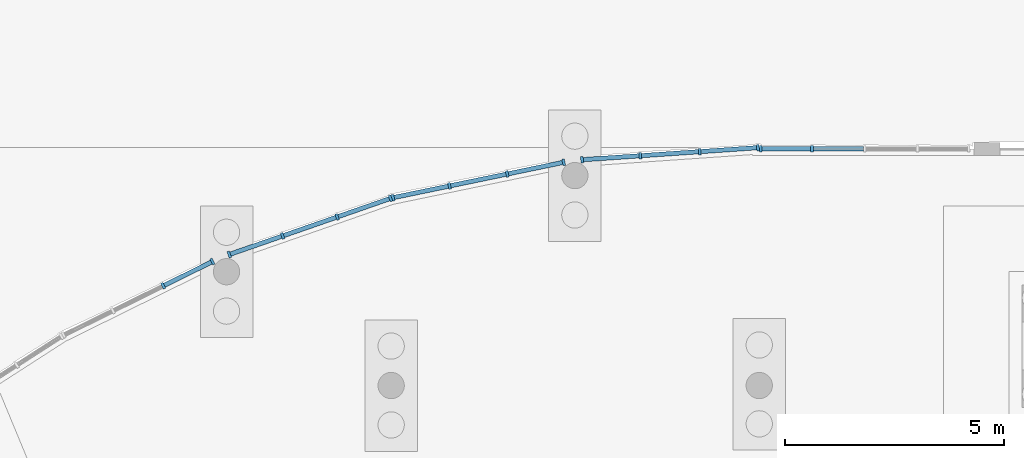
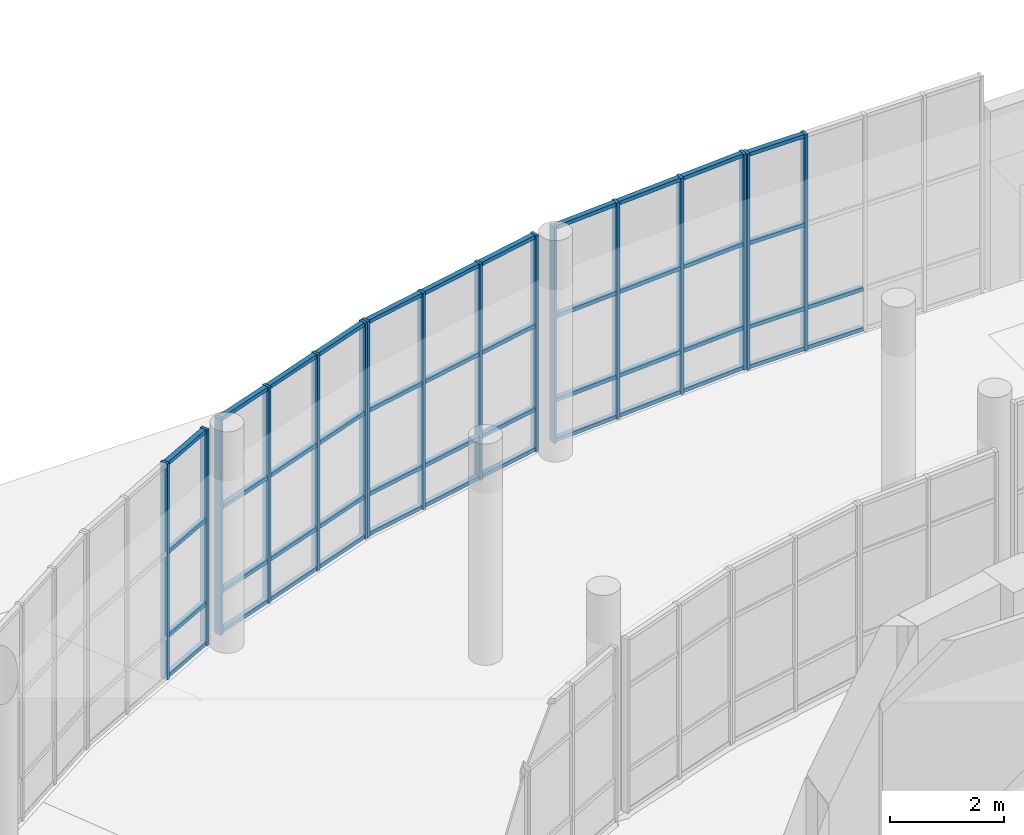
# One storey, part 35 of 110: 62 members, 5 elements without a shape of their own.
"""IFC4 building model written with IfcOpenShell, lengths in metres."""

from ifc_helpers import new_model, si_unit, direction, frame, origin, origin_2d, place, context, subcontext, project, spatial, rectangle, extrude, material, layer, layer_set, material_profile, profile_set, type_object, element, aggregate, save


model = new_model("IFC4")

# Units and contexts
model_context = context("Model", 3, precision=1e-05, world=origin(), true_north=direction((0.0, 1.0)))
body_context = subcontext(model_context, "Body", "Model", "MODEL_VIEW")
ifc_project = project(units=[si_unit("LENGTHUNIT", "METRE"), si_unit("AREAUNIT", "SQUARE_METRE"), si_unit("VOLUMEUNIT", "CUBIC_METRE"), si_unit("PLANEANGLEUNIT", "RADIAN"), si_unit("MASSUNIT", "GRAM", prefix="KILO")], contexts=[model_context])

# Site, building, storey
site_placement = place(None, origin())
site = spatial("IfcSite", under=ifc_project, at=site_placement, CompositionType="ELEMENT")
building_placement = place(site_placement, origin())
building = spatial("IfcBuilding", under=site, at=building_placement, Name="Larchfold Concert Hall", CompositionType="ELEMENT")
storey_placement = place(building_placement, origin())
storey = spatial("IfcBuildingStorey", under=building, at=storey_placement, Name="L00", CompositionType="ELEMENT", Elevation=0.0)

# Curtain wall, members
ifc_material_1 = material(Name="Anodised graphite aluminium curtain wall", Category="aluminium")
ifc_layer = layer(ifc_material_1, 0.14990234375)
ifc_layer_set = layer_set([ifc_layer], Name="Anodised graphite aluminium curtain wall")
curtain_wall_type = type_object("IfcCurtainWallType", Name="Curtain wall WG", PredefinedType="NOTDEFINED", material=ifc_layer_set)
curtain_wall_1_placement = place(storey_placement, origin())
curtain_wall_1 = element("IfcCurtainWall", 1, at=curtain_wall_1_placement, inside=storey, type_object=curtain_wall_type, Name="Curtain wall CW0100", PredefinedType="NOTDEFINED")
ifc_material_2 = material(Name="Anodised graphite aluminium mullion", Category="aluminium")
ifc_material_profile_1 = material_profile(ifc_material_2, rectangle(XDim=0.14990234375, YDim=0.06005859375, at=origin_2d()))
ifc_profile_set_1 = profile_set([ifc_material_profile_1], Name="Anodised graphite aluminium mullion")
member_type_1 = type_object("IfcMemberType", Name="Aluminium mullion 60x150", PredefinedType="MULLION", material=ifc_profile_set_1)
member_1_placement = place(storey_placement, frame((43.803955078125, 132.0, 0.0), z_axis=(0.0, 0.0, 1.0), x_axis=(0.0, -1.0, 0.0)))
member_1 = element("IfcMember", 2, at=member_1_placement, type_object=member_type_1, Name="CW0100 mullion 4", PredefinedType="MULLION", context=body_context, shape_type="SweptSolid", body=[
    extrude(rectangle(XDim=0.14990234375, YDim=0.06005859375, at=origin_2d()), origin(), (0.0, 0.0, 1.0), 4.64990234375),
])
member_2_placement = place(storey_placement, frame((42.630126953125, 132.0, 0.0), z_axis=(0.0, 0.0, 1.0), x_axis=(0.0, -1.0, 0.0)))
member_2 = element("IfcMember", 3, at=member_2_placement, type_object=member_type_1, Name="CW0100 mullion 5", PredefinedType="MULLION", context=body_context, shape_type="SweptSolid", body=[
    extrude(rectangle(XDim=0.14990234375, YDim=0.06005859375, at=origin_2d()), origin(), (0.0, 0.0, 1.0), 4.64990234375),
])

curtain_wall_2_placement = place(storey_placement, origin())
curtain_wall_2 = element("IfcCurtainWall", 4, at=curtain_wall_2_placement, inside=storey, type_object=curtain_wall_type, Name="Curtain wall CW0101", PredefinedType="NOTDEFINED")
member_3_placement = place(storey_placement, frame((42.570068359375, 132.030029296875, 0.0), z_axis=(0.0, 0.0, 1.0), x_axis=(0.068808246767, -0.997629903911, 0.0)))
member_3 = element("IfcMember", 5, at=member_3_placement, type_object=member_type_1, Name="CW0101 mullion 1", PredefinedType="MULLION", context=body_context, shape_type="SweptSolid", body=[
    extrude(rectangle(XDim=0.14990234375, YDim=0.06005859375, at=origin_2d()), origin(), (0.0, 0.0, 1.0), 4.64990234375),
])
member_4_placement = place(storey_placement, frame((41.241943359375, 131.938232421875, 0.0), z_axis=(0.0, 0.0, 1.0), x_axis=(0.068808246767, -0.997629903911, 0.0)))
member_4 = element("IfcMember", 6, at=member_4_placement, type_object=member_type_1, Name="CW0101 mullion 2", PredefinedType="MULLION", context=body_context, shape_type="SweptSolid", body=[
    extrude(rectangle(XDim=0.14990234375, YDim=0.06005859375, at=origin_2d()), origin(), (0.0, 0.0, 1.0), 4.64990234375),
])
member_5_placement = place(storey_placement, frame((39.884033203125, 131.8447265625, 0.0), z_axis=(0.0, 0.0, 1.0), x_axis=(0.068808246767, -0.997629903911, 0.0)))
member_5 = element("IfcMember", 7, at=member_5_placement, type_object=member_type_1, Name="CW0101 mullion 3", PredefinedType="MULLION", context=body_context, shape_type="SweptSolid", body=[
    extrude(rectangle(XDim=0.14990234375, YDim=0.06005859375, at=origin_2d()), origin(), (0.0, 0.0, 1.0), 4.64990234375),
])
member_6_placement = place(storey_placement, frame((38.555908203125, 131.7529296875, 0.0), z_axis=(0.0, 0.0, 1.0), x_axis=(0.068808246767, -0.997629903911, 0.0)))
member_6 = element("IfcMember", 8, at=member_6_placement, type_object=member_type_1, Name="CW0101 mullion 4", PredefinedType="MULLION", context=body_context, shape_type="SweptSolid", body=[
    extrude(rectangle(XDim=0.14990234375, YDim=0.06005859375, at=origin_2d()), origin(), (0.0, 0.0, 1.0), 4.64990234375),
])

curtain_wall_3_placement = place(storey_placement, origin())
curtain_wall_3 = element("IfcCurtainWall", 9, at=curtain_wall_3_placement, inside=storey, type_object=curtain_wall_type, Name="Curtain wall CW0102", PredefinedType="NOTDEFINED")
member_7_placement = place(storey_placement, frame((38.13720703125, 131.695556640625, 0.0), z_axis=(0.0, 0.0, 1.0), x_axis=(0.203041455757, -0.979170142133, 0.0)))
member_7 = element("IfcMember", 10, at=member_7_placement, type_object=member_type_1, Name="CW0102 mullion 1", PredefinedType="MULLION", context=body_context, shape_type="SweptSolid", body=[
    extrude(rectangle(XDim=0.14990234375, YDim=0.06005859375, at=origin_2d()), origin(), (0.0, 0.0, 1.0), 4.64990234375),
])
member_8_placement = place(storey_placement, frame((36.8486328125, 131.428466796875, 0.0), z_axis=(0.0, 0.0, 1.0), x_axis=(0.203041455757, -0.979170142133, 0.0)))
member_8 = element("IfcMember", 11, at=member_8_placement, type_object=member_type_1, Name="CW0102 mullion 2", PredefinedType="MULLION", context=body_context, shape_type="SweptSolid", body=[
    extrude(rectangle(XDim=0.14990234375, YDim=0.06005859375, at=origin_2d()), origin(), (0.0, 0.0, 1.0), 4.64990234375),
])
member_9_placement = place(storey_placement, frame((35.53076171875, 131.155029296875, 0.0), z_axis=(0.0, 0.0, 1.0), x_axis=(0.203041455757, -0.979170142133, 0.0)))
member_9 = element("IfcMember", 12, at=member_9_placement, type_object=member_type_1, Name="CW0102 mullion 3", PredefinedType="MULLION", context=body_context, shape_type="SweptSolid", body=[
    extrude(rectangle(XDim=0.14990234375, YDim=0.06005859375, at=origin_2d()), origin(), (0.0, 0.0, 1.0), 4.64990234375),
])
member_10_placement = place(storey_placement, frame((34.2421875, 130.887939453125, 0.0), z_axis=(0.0, 0.0, 1.0), x_axis=(0.203041455757, -0.979170142133, 0.0)))
member_10 = element("IfcMember", 13, at=member_10_placement, type_object=member_type_1, Name="CW0102 mullion 4", PredefinedType="MULLION", context=body_context, shape_type="SweptSolid", body=[
    extrude(rectangle(XDim=0.14990234375, YDim=0.06005859375, at=origin_2d()), origin(), (0.0, 0.0, 1.0), 4.64990234375),
])

curtain_wall_4_placement = place(storey_placement, origin())
curtain_wall_4 = element("IfcCurtainWall", 14, at=curtain_wall_4_placement, inside=storey, type_object=curtain_wall_type, Name="Curtain wall CW0103", PredefinedType="NOTDEFINED")
member_11_placement = place(storey_placement, frame((34.1845703125, 130.8720703125, 0.0), z_axis=(0.0, 0.0, 1.0), x_axis=(0.328898749766, -0.944365190169, 0.0)))
member_11 = element("IfcMember", 15, at=member_11_placement, type_object=member_type_1, Name="CW0103 mullion 1", PredefinedType="MULLION", context=body_context, shape_type="SweptSolid", body=[
    extrude(rectangle(XDim=0.14990234375, YDim=0.06005859375, at=origin_2d()), origin(), (0.0, 0.0, 1.0), 4.64990234375),
])
member_12_placement = place(storey_placement, frame((32.967529296875, 130.447998046875, 0.0), z_axis=(0.0, 0.0, 1.0), x_axis=(0.328898749766, -0.944365190169, 0.0)))
member_12 = element("IfcMember", 16, at=member_12_placement, type_object=member_type_1, Name="CW0103 mullion 2", PredefinedType="MULLION", context=body_context, shape_type="SweptSolid", body=[
    extrude(rectangle(XDim=0.14990234375, YDim=0.06005859375, at=origin_2d()), origin(), (0.0, 0.0, 1.0), 4.64990234375),
])
member_13_placement = place(storey_placement, frame((31.721923828125, 130.014404296875, 0.0), z_axis=(0.0, 0.0, 1.0), x_axis=(0.328898749766, -0.944365190169, 0.0)))
member_13 = element("IfcMember", 17, at=member_13_placement, type_object=member_type_1, Name="CW0103 mullion 3", PredefinedType="MULLION", context=body_context, shape_type="SweptSolid", body=[
    extrude(rectangle(XDim=0.14990234375, YDim=0.06005859375, at=origin_2d()), origin(), (0.0, 0.0, 1.0), 4.64990234375),
])
member_14_placement = place(storey_placement, frame((30.5048828125, 129.59033203125, 0.0), z_axis=(0.0, 0.0, 1.0), x_axis=(0.328898749766, -0.944365190169, 0.0)))
member_14 = element("IfcMember", 18, at=member_14_placement, type_object=member_type_1, Name="CW0103 mullion 4", PredefinedType="MULLION", context=body_context, shape_type="SweptSolid", body=[
    extrude(rectangle(XDim=0.14990234375, YDim=0.06005859375, at=origin_2d()), origin(), (0.0, 0.0, 1.0), 4.64990234375),
])

curtain_wall_5_placement = place(storey_placement, origin())
curtain_wall_5 = element("IfcCurtainWall", 19, at=curtain_wall_5_placement, inside=storey, type_object=curtain_wall_type, Name="Curtain wall CW0104", PredefinedType="NOTDEFINED")
member_15_placement = place(storey_placement, frame((30.120361328125, 129.429443359375, 0.0), z_axis=(0.0, 0.0, 1.0), x_axis=(0.44238339909, -0.896826030069, 0.0)))
member_15 = element("IfcMember", 20, at=member_15_placement, type_object=member_type_1, Name="CW0104 mullion 1", PredefinedType="MULLION", context=body_context, shape_type="SweptSolid", body=[
    extrude(rectangle(XDim=0.14990234375, YDim=0.06005859375, at=origin_2d()), origin(), (0.0, 0.0, 1.0), 4.64990234375),
])
member_16_placement = place(storey_placement, frame((28.997314453125, 128.87548828125, 0.0), z_axis=(0.0, 0.0, 1.0), x_axis=(0.44238339909, -0.896826030069, 0.0)))
member_16 = element("IfcMember", 21, at=member_16_placement, type_object=member_type_1, Name="CW0104 mullion 2", PredefinedType="MULLION", context=body_context, shape_type="SweptSolid", body=[
    extrude(rectangle(XDim=0.14990234375, YDim=0.06005859375, at=origin_2d()), origin(), (0.0, 0.0, 1.0), 4.64990234375),
])

# Member
ifc_material_3 = material(Name="Anodised graphite aluminium transom", Category="aluminium")
ifc_material_profile_2 = material_profile(ifc_material_3, rectangle(XDim=0.10009765625, YDim=0.080078125, at=origin_2d()))
ifc_profile_set_2 = profile_set([ifc_material_profile_2], Name="Anodised graphite aluminium transom")
member_type_2 = type_object("IfcMemberType", Name="Aluminium transom 80x100", PredefinedType="USERDEFINED", material=ifc_profile_set_2)
member_17_placement = place(storey_placement, frame((44.9775390625, 132.0, 0.0400390625), z_axis=(-1.0, 0.0, 0.0), x_axis=(0.0, -1.0, 0.0)))
member_17 = element("IfcMember", 22, at=member_17_placement, type_object=member_type_2, Name="CW0100 transom 3.1", ObjectType="TRANSOM", PredefinedType="USERDEFINED", context=body_context, shape_type="SweptSolid", body=[
    extrude(rectangle(XDim=0.10009765625, YDim=0.080078125, at=origin_2d()), origin(), (0.0, 0.0, 1.0), 1.143798828125),
])

member_18_placement = place(storey_placement, frame((44.9775390625, 132.0, 0.89990234375), z_axis=(-1.0, 0.0, 0.0), x_axis=(0.0, -1.0, 0.0)))
member_18 = element("IfcMember", 23, at=member_18_placement, type_object=member_type_2, Name="CW0100 transom 3.2", ObjectType="TRANSOM", PredefinedType="USERDEFINED", context=body_context, shape_type="SweptSolid", body=[
    extrude(rectangle(XDim=0.10009765625, YDim=0.080078125, at=origin_2d()), origin(), (0.0, 0.0, 1.0), 1.143798828125),
])

member_19_placement = place(storey_placement, frame((43.77392578125, 132.0, 0.0400390625), z_axis=(-1.0, 0.0, 0.0), x_axis=(0.0, -1.0, 0.0)))
member_19 = element("IfcMember", 24, at=member_19_placement, type_object=member_type_2, Name="CW0100 transom 4.1", ObjectType="TRANSOM", PredefinedType="USERDEFINED", context=body_context, shape_type="SweptSolid", body=[
    extrude(rectangle(XDim=0.10009765625, YDim=0.080078125, at=origin_2d()), origin(), (0.0, 0.0, 1.0), 1.11376953125),
])

member_20_placement = place(storey_placement, frame((43.77392578125, 132.0, 0.89990234375), z_axis=(-1.0, 0.0, 0.0), x_axis=(0.0, -1.0, 0.0)))
member_20 = element("IfcMember", 25, at=member_20_placement, type_object=member_type_2, Name="CW0100 transom 4.2", ObjectType="TRANSOM", PredefinedType="USERDEFINED", context=body_context, shape_type="SweptSolid", body=[
    extrude(rectangle(XDim=0.10009765625, YDim=0.080078125, at=origin_2d()), origin(), (0.0, 0.0, 1.0), 1.11376953125),
])

member_21_placement = place(storey_placement, frame((43.77392578125, 132.0, 2.699951171875), z_axis=(-1.0, 0.0, 0.0), x_axis=(0.0, -1.0, 0.0)))
member_21 = element("IfcMember", 26, at=member_21_placement, type_object=member_type_2, Name="CW0100 transom 4.3", ObjectType="TRANSOM", PredefinedType="USERDEFINED", context=body_context, shape_type="SweptSolid", body=[
    extrude(rectangle(XDim=0.10009765625, YDim=0.080078125, at=origin_2d()), origin(), (0.0, 0.0, 1.0), 1.11376953125),
])

member_22_placement = place(storey_placement, frame((43.77392578125, 132.0, 4.60986328125), z_axis=(-1.0, 0.0, 0.0), x_axis=(0.0, -1.0, 0.0)))
member_22 = element("IfcMember", 27, at=member_22_placement, type_object=member_type_2, Name="CW0100 transom 4.4", ObjectType="TRANSOM", PredefinedType="USERDEFINED", context=body_context, shape_type="SweptSolid", body=[
    extrude(rectangle(XDim=0.10009765625, YDim=0.080078125, at=origin_2d()), origin(), (0.0, 0.0, 1.0), 1.11376953125),
])

aggregate(curtain_wall_1, [member_1, member_2, member_17, member_18, member_19, member_20, member_21, member_22])

member_23_placement = place(storey_placement, frame((42.540283203125, 132.02783203125, 0.0400390625), z_axis=(-0.99763396324, -0.068749366475, 0.0), x_axis=(0.068749366475, -0.99763396324, 0.0)))
member_23 = element("IfcMember", 28, at=member_23_placement, type_object=member_type_2, Name="CW0101 transom 1.1", ObjectType="TRANSOM", PredefinedType="USERDEFINED", context=body_context, shape_type="SweptSolid", body=[
    extrude(rectangle(XDim=0.10009765625, YDim=0.080078125, at=origin_2d()), origin(), (0.0, 0.0, 1.0), 1.271240234375),
])

member_24_placement = place(storey_placement, frame((42.540283203125, 132.02783203125, 0.89990234375), z_axis=(-0.99763396324, -0.068749366475, 0.0), x_axis=(0.068749366475, -0.99763396324, 0.0)))
member_24 = element("IfcMember", 29, at=member_24_placement, type_object=member_type_2, Name="CW0101 transom 1.2", ObjectType="TRANSOM", PredefinedType="USERDEFINED", context=body_context, shape_type="SweptSolid", body=[
    extrude(rectangle(XDim=0.10009765625, YDim=0.080078125, at=origin_2d()), origin(), (0.0, 0.0, 1.0), 1.271240234375),
])

member_25_placement = place(storey_placement, frame((42.540283203125, 132.02783203125, 2.699951171875), z_axis=(-0.99763396324, -0.068749366475, 0.0), x_axis=(0.068749366475, -0.99763396324, 0.0)))
member_25 = element("IfcMember", 30, at=member_25_placement, type_object=member_type_2, Name="CW0101 transom 1.3", ObjectType="TRANSOM", PredefinedType="USERDEFINED", context=body_context, shape_type="SweptSolid", body=[
    extrude(rectangle(XDim=0.10009765625, YDim=0.080078125, at=origin_2d()), origin(), (0.0, 0.0, 1.0), 1.271240234375),
])

member_26_placement = place(storey_placement, frame((42.540283203125, 132.02783203125, 4.60986328125), z_axis=(-0.99763396324, -0.068749366475, 0.0), x_axis=(0.068749366475, -0.99763396324, 0.0)))
member_26 = element("IfcMember", 31, at=member_26_placement, type_object=member_type_2, Name="CW0101 transom 1.4", ObjectType="TRANSOM", PredefinedType="USERDEFINED", context=body_context, shape_type="SweptSolid", body=[
    extrude(rectangle(XDim=0.10009765625, YDim=0.080078125, at=origin_2d()), origin(), (0.0, 0.0, 1.0), 1.271240234375),
])

member_27_placement = place(storey_placement, frame((41.212158203125, 131.936279296875, 0.0400390625), z_axis=(-0.997627219332, -0.068847158611, 0.0), x_axis=(0.068847158611, -0.997627219332, 0.0)))
member_27 = element("IfcMember", 32, at=member_27_placement, type_object=member_type_2, Name="CW0101 transom 2.1", ObjectType="TRANSOM", PredefinedType="USERDEFINED", context=body_context, shape_type="SweptSolid", body=[
    extrude(rectangle(XDim=0.10009765625, YDim=0.080078125, at=origin_2d()), origin(), (0.0, 0.0, 1.0), 1.301513671875),
])

member_28_placement = place(storey_placement, frame((41.212158203125, 131.936279296875, 0.89990234375), z_axis=(-0.997627219332, -0.068847158611, 0.0), x_axis=(0.068847158611, -0.997627219332, 0.0)))
member_28 = element("IfcMember", 33, at=member_28_placement, type_object=member_type_2, Name="CW0101 transom 2.2", ObjectType="TRANSOM", PredefinedType="USERDEFINED", context=body_context, shape_type="SweptSolid", body=[
    extrude(rectangle(XDim=0.10009765625, YDim=0.080078125, at=origin_2d()), origin(), (0.0, 0.0, 1.0), 1.301513671875),
])

member_29_placement = place(storey_placement, frame((41.212158203125, 131.936279296875, 2.699951171875), z_axis=(-0.997627219332, -0.068847158611, 0.0), x_axis=(0.068847158611, -0.997627219332, 0.0)))
member_29 = element("IfcMember", 34, at=member_29_placement, type_object=member_type_2, Name="CW0101 transom 2.3", ObjectType="TRANSOM", PredefinedType="USERDEFINED", context=body_context, shape_type="SweptSolid", body=[
    extrude(rectangle(XDim=0.10009765625, YDim=0.080078125, at=origin_2d()), origin(), (0.0, 0.0, 1.0), 1.301513671875),
])

member_30_placement = place(storey_placement, frame((41.212158203125, 131.936279296875, 4.60986328125), z_axis=(-0.997627219332, -0.068847158611, 0.0), x_axis=(0.068847158611, -0.997627219332, 0.0)))
member_30 = element("IfcMember", 35, at=member_30_placement, type_object=member_type_2, Name="CW0101 transom 2.4", ObjectType="TRANSOM", PredefinedType="USERDEFINED", context=body_context, shape_type="SweptSolid", body=[
    extrude(rectangle(XDim=0.10009765625, YDim=0.080078125, at=origin_2d()), origin(), (0.0, 0.0, 1.0), 1.301513671875),
])

member_31_placement = place(storey_placement, frame((39.85400390625, 131.842529296875, 0.0400390625), z_axis=(-0.99763396324, -0.068749366475, 0.0), x_axis=(0.068749366475, -0.99763396324, 0.0)))
member_31 = element("IfcMember", 36, at=member_31_placement, type_object=member_type_2, Name="CW0101 transom 3.1", ObjectType="TRANSOM", PredefinedType="USERDEFINED", context=body_context, shape_type="SweptSolid", body=[
    extrude(rectangle(XDim=0.10009765625, YDim=0.080078125, at=origin_2d()), origin(), (0.0, 0.0, 1.0), 1.271240234375),
])

member_32_placement = place(storey_placement, frame((39.85400390625, 131.842529296875, 0.89990234375), z_axis=(-0.99763396324, -0.068749366475, 0.0), x_axis=(0.068749366475, -0.99763396324, 0.0)))
member_32 = element("IfcMember", 37, at=member_32_placement, type_object=member_type_2, Name="CW0101 transom 3.2", ObjectType="TRANSOM", PredefinedType="USERDEFINED", context=body_context, shape_type="SweptSolid", body=[
    extrude(rectangle(XDim=0.10009765625, YDim=0.080078125, at=origin_2d()), origin(), (0.0, 0.0, 1.0), 1.271240234375),
])

member_33_placement = place(storey_placement, frame((39.85400390625, 131.842529296875, 2.699951171875), z_axis=(-0.99763396324, -0.068749366475, 0.0), x_axis=(0.068749366475, -0.99763396324, 0.0)))
member_33 = element("IfcMember", 38, at=member_33_placement, type_object=member_type_2, Name="CW0101 transom 3.3", ObjectType="TRANSOM", PredefinedType="USERDEFINED", context=body_context, shape_type="SweptSolid", body=[
    extrude(rectangle(XDim=0.10009765625, YDim=0.080078125, at=origin_2d()), origin(), (0.0, 0.0, 1.0), 1.271240234375),
])

member_34_placement = place(storey_placement, frame((39.85400390625, 131.842529296875, 4.60986328125), z_axis=(-0.99763396324, -0.068749366475, 0.0), x_axis=(0.068749366475, -0.99763396324, 0.0)))
member_34 = element("IfcMember", 39, at=member_34_placement, type_object=member_type_2, Name="CW0101 transom 3.4", ObjectType="TRANSOM", PredefinedType="USERDEFINED", context=body_context, shape_type="SweptSolid", body=[
    extrude(rectangle(XDim=0.10009765625, YDim=0.080078125, at=origin_2d()), origin(), (0.0, 0.0, 1.0), 1.271240234375),
])

aggregate(curtain_wall_2, [member_3, member_4, member_5, member_6, member_23, member_24, member_25, member_26, member_27, member_28, member_29, member_30, member_31, member_32, member_33, member_34])

member_35_placement = place(storey_placement, frame((38.107666015625, 131.689453125, 0.0400390625), z_axis=(-0.979188538911, -0.20295271682, 0.0), x_axis=(0.20295271682, -0.979188538911, 0.0)))
member_35 = element("IfcMember", 40, at=member_35_placement, type_object=member_type_2, Name="CW0102 transom 1.1", ObjectType="TRANSOM", PredefinedType="USERDEFINED", context=body_context, shape_type="SweptSolid", body=[
    extrude(rectangle(XDim=0.10009765625, YDim=0.080078125, at=origin_2d()), origin(), (0.0, 0.0, 1.0), 1.255859375),
])

member_36_placement = place(storey_placement, frame((38.107666015625, 131.689453125, 0.89990234375), z_axis=(-0.979188538911, -0.20295271682, 0.0), x_axis=(0.20295271682, -0.979188538911, 0.0)))
member_36 = element("IfcMember", 41, at=member_36_placement, type_object=member_type_2, Name="CW0102 transom 1.2", ObjectType="TRANSOM", PredefinedType="USERDEFINED", context=body_context, shape_type="SweptSolid", body=[
    extrude(rectangle(XDim=0.10009765625, YDim=0.080078125, at=origin_2d()), origin(), (0.0, 0.0, 1.0), 1.255859375),
])

member_37_placement = place(storey_placement, frame((38.107666015625, 131.689453125, 2.699951171875), z_axis=(-0.979188538911, -0.20295271682, 0.0), x_axis=(0.20295271682, -0.979188538911, 0.0)))
member_37 = element("IfcMember", 42, at=member_37_placement, type_object=member_type_2, Name="CW0102 transom 1.3", ObjectType="TRANSOM", PredefinedType="USERDEFINED", context=body_context, shape_type="SweptSolid", body=[
    extrude(rectangle(XDim=0.10009765625, YDim=0.080078125, at=origin_2d()), origin(), (0.0, 0.0, 1.0), 1.255859375),
])

member_38_placement = place(storey_placement, frame((38.107666015625, 131.689453125, 4.60986328125), z_axis=(-0.979188538911, -0.20295271682, 0.0), x_axis=(0.20295271682, -0.979188538911, 0.0)))
member_38 = element("IfcMember", 43, at=member_38_placement, type_object=member_type_2, Name="CW0102 transom 1.4", ObjectType="TRANSOM", PredefinedType="USERDEFINED", context=body_context, shape_type="SweptSolid", body=[
    extrude(rectangle(XDim=0.10009765625, YDim=0.080078125, at=origin_2d()), origin(), (0.0, 0.0, 1.0), 1.255859375),
])

member_39_placement = place(storey_placement, frame((36.8193359375, 131.42236328125, 0.0400390625), z_axis=(-0.979153787789, -0.203120308828, 0.0), x_axis=(0.203120308828, -0.979153787789, 0.0)))
member_39 = element("IfcMember", 44, at=member_39_placement, type_object=member_type_2, Name="CW0102 transom 2.1", ObjectType="TRANSOM", PredefinedType="USERDEFINED", context=body_context, shape_type="SweptSolid", body=[
    extrude(rectangle(XDim=0.10009765625, YDim=0.080078125, at=origin_2d()), origin(), (0.0, 0.0, 1.0), 1.2861328125),
])

member_40_placement = place(storey_placement, frame((36.8193359375, 131.42236328125, 0.89990234375), z_axis=(-0.979153787789, -0.203120308828, 0.0), x_axis=(0.203120308828, -0.979153787789, 0.0)))
member_40 = element("IfcMember", 45, at=member_40_placement, type_object=member_type_2, Name="CW0102 transom 2.2", ObjectType="TRANSOM", PredefinedType="USERDEFINED", context=body_context, shape_type="SweptSolid", body=[
    extrude(rectangle(XDim=0.10009765625, YDim=0.080078125, at=origin_2d()), origin(), (0.0, 0.0, 1.0), 1.2861328125),
])

member_41_placement = place(storey_placement, frame((36.8193359375, 131.42236328125, 2.699951171875), z_axis=(-0.979153787789, -0.203120308828, 0.0), x_axis=(0.203120308828, -0.979153787789, 0.0)))
member_41 = element("IfcMember", 46, at=member_41_placement, type_object=member_type_2, Name="CW0102 transom 2.3", ObjectType="TRANSOM", PredefinedType="USERDEFINED", context=body_context, shape_type="SweptSolid", body=[
    extrude(rectangle(XDim=0.10009765625, YDim=0.080078125, at=origin_2d()), origin(), (0.0, 0.0, 1.0), 1.2861328125),
])

member_42_placement = place(storey_placement, frame((36.8193359375, 131.42236328125, 4.60986328125), z_axis=(-0.979153787789, -0.203120308828, 0.0), x_axis=(0.203120308828, -0.979153787789, 0.0)))
member_42 = element("IfcMember", 47, at=member_42_placement, type_object=member_type_2, Name="CW0102 transom 2.4", ObjectType="TRANSOM", PredefinedType="USERDEFINED", context=body_context, shape_type="SweptSolid", body=[
    extrude(rectangle(XDim=0.10009765625, YDim=0.080078125, at=origin_2d()), origin(), (0.0, 0.0, 1.0), 1.2861328125),
])

member_43_placement = place(storey_placement, frame((35.50146484375, 131.14892578125, 0.0400390625), z_axis=(-0.979188538911, -0.20295271682, 0.0), x_axis=(0.20295271682, -0.979188538911, 0.0)))
member_43 = element("IfcMember", 48, at=member_43_placement, type_object=member_type_2, Name="CW0102 transom 3.1", ObjectType="TRANSOM", PredefinedType="USERDEFINED", context=body_context, shape_type="SweptSolid", body=[
    extrude(rectangle(XDim=0.10009765625, YDim=0.080078125, at=origin_2d()), origin(), (0.0, 0.0, 1.0), 1.255859375),
])

member_44_placement = place(storey_placement, frame((35.50146484375, 131.14892578125, 0.89990234375), z_axis=(-0.979188538911, -0.20295271682, 0.0), x_axis=(0.20295271682, -0.979188538911, 0.0)))
member_44 = element("IfcMember", 49, at=member_44_placement, type_object=member_type_2, Name="CW0102 transom 3.2", ObjectType="TRANSOM", PredefinedType="USERDEFINED", context=body_context, shape_type="SweptSolid", body=[
    extrude(rectangle(XDim=0.10009765625, YDim=0.080078125, at=origin_2d()), origin(), (0.0, 0.0, 1.0), 1.255859375),
])

member_45_placement = place(storey_placement, frame((35.50146484375, 131.14892578125, 2.699951171875), z_axis=(-0.979188538911, -0.20295271682, 0.0), x_axis=(0.20295271682, -0.979188538911, 0.0)))
member_45 = element("IfcMember", 50, at=member_45_placement, type_object=member_type_2, Name="CW0102 transom 3.3", ObjectType="TRANSOM", PredefinedType="USERDEFINED", context=body_context, shape_type="SweptSolid", body=[
    extrude(rectangle(XDim=0.10009765625, YDim=0.080078125, at=origin_2d()), origin(), (0.0, 0.0, 1.0), 1.255859375),
])

member_46_placement = place(storey_placement, frame((35.50146484375, 131.14892578125, 4.60986328125), z_axis=(-0.979188538911, -0.20295271682, 0.0), x_axis=(0.20295271682, -0.979188538911, 0.0)))
member_46 = element("IfcMember", 51, at=member_46_placement, type_object=member_type_2, Name="CW0102 transom 3.4", ObjectType="TRANSOM", PredefinedType="USERDEFINED", context=body_context, shape_type="SweptSolid", body=[
    extrude(rectangle(XDim=0.10009765625, YDim=0.080078125, at=origin_2d()), origin(), (0.0, 0.0, 1.0), 1.255859375),
])

aggregate(curtain_wall_3, [member_7, member_8, member_9, member_10, member_35, member_36, member_37, member_38, member_39, member_40, member_41, member_42, member_43, member_44, member_45, member_46])

member_47_placement = place(storey_placement, frame((34.15625, 130.862060546875, 0.0400390625), z_axis=(-0.944386842952, -0.328836571657, 0.0), x_axis=(0.328836571657, -0.944386842952, 0.0)))
member_47 = element("IfcMember", 52, at=member_47_placement, type_object=member_type_2, Name="CW0103 transom 1.1", ObjectType="TRANSOM", PredefinedType="USERDEFINED", context=body_context, shape_type="SweptSolid", body=[
    extrude(rectangle(XDim=0.10009765625, YDim=0.080078125, at=origin_2d()), origin(), (0.0, 0.0, 1.0), 1.228759765625),
])

member_48_placement = place(storey_placement, frame((34.15625, 130.862060546875, 0.89990234375), z_axis=(-0.944386842952, -0.328836571657, 0.0), x_axis=(0.328836571657, -0.944386842952, 0.0)))
member_48 = element("IfcMember", 53, at=member_48_placement, type_object=member_type_2, Name="CW0103 transom 1.2", ObjectType="TRANSOM", PredefinedType="USERDEFINED", context=body_context, shape_type="SweptSolid", body=[
    extrude(rectangle(XDim=0.10009765625, YDim=0.080078125, at=origin_2d()), origin(), (0.0, 0.0, 1.0), 1.228759765625),
])

member_49_placement = place(storey_placement, frame((34.15625, 130.862060546875, 2.699951171875), z_axis=(-0.944386842952, -0.328836571657, 0.0), x_axis=(0.328836571657, -0.944386842952, 0.0)))
member_49 = element("IfcMember", 54, at=member_49_placement, type_object=member_type_2, Name="CW0103 transom 1.3", ObjectType="TRANSOM", PredefinedType="USERDEFINED", context=body_context, shape_type="SweptSolid", body=[
    extrude(rectangle(XDim=0.10009765625, YDim=0.080078125, at=origin_2d()), origin(), (0.0, 0.0, 1.0), 1.228759765625),
])

member_50_placement = place(storey_placement, frame((34.15625, 130.862060546875, 4.60986328125), z_axis=(-0.944386842952, -0.328836571657, 0.0), x_axis=(0.328836571657, -0.944386842952, 0.0)))
member_50 = element("IfcMember", 55, at=member_50_placement, type_object=member_type_2, Name="CW0103 transom 1.4", ObjectType="TRANSOM", PredefinedType="USERDEFINED", context=body_context, shape_type="SweptSolid", body=[
    extrude(rectangle(XDim=0.10009765625, YDim=0.080078125, at=origin_2d()), origin(), (0.0, 0.0, 1.0), 1.228759765625),
])

member_51_placement = place(storey_placement, frame((32.939208984375, 130.438232421875, 0.0400390625), z_axis=(-0.944371156441, -0.328881618342, 0.0), x_axis=(0.328881618342, -0.944371156441, 0.0)))
member_51 = element("IfcMember", 56, at=member_51_placement, type_object=member_type_2, Name="CW0103 transom 2.1", ObjectType="TRANSOM", PredefinedType="USERDEFINED", context=body_context, shape_type="SweptSolid", body=[
    extrude(rectangle(XDim=0.10009765625, YDim=0.080078125, at=origin_2d()), origin(), (0.0, 0.0, 1.0), 1.259033203125),
])

member_52_placement = place(storey_placement, frame((32.939208984375, 130.438232421875, 0.89990234375), z_axis=(-0.944371156441, -0.328881618342, 0.0), x_axis=(0.328881618342, -0.944371156441, 0.0)))
member_52 = element("IfcMember", 57, at=member_52_placement, type_object=member_type_2, Name="CW0103 transom 2.2", ObjectType="TRANSOM", PredefinedType="USERDEFINED", context=body_context, shape_type="SweptSolid", body=[
    extrude(rectangle(XDim=0.10009765625, YDim=0.080078125, at=origin_2d()), origin(), (0.0, 0.0, 1.0), 1.259033203125),
])

member_53_placement = place(storey_placement, frame((32.939208984375, 130.438232421875, 2.699951171875), z_axis=(-0.944371156441, -0.328881618342, 0.0), x_axis=(0.328881618342, -0.944371156441, 0.0)))
member_53 = element("IfcMember", 58, at=member_53_placement, type_object=member_type_2, Name="CW0103 transom 2.3", ObjectType="TRANSOM", PredefinedType="USERDEFINED", context=body_context, shape_type="SweptSolid", body=[
    extrude(rectangle(XDim=0.10009765625, YDim=0.080078125, at=origin_2d()), origin(), (0.0, 0.0, 1.0), 1.259033203125),
])

member_54_placement = place(storey_placement, frame((32.939208984375, 130.438232421875, 4.60986328125), z_axis=(-0.944371156441, -0.328881618342, 0.0), x_axis=(0.328881618342, -0.944371156441, 0.0)))
member_54 = element("IfcMember", 59, at=member_54_placement, type_object=member_type_2, Name="CW0103 transom 2.4", ObjectType="TRANSOM", PredefinedType="USERDEFINED", context=body_context, shape_type="SweptSolid", body=[
    extrude(rectangle(XDim=0.10009765625, YDim=0.080078125, at=origin_2d()), origin(), (0.0, 0.0, 1.0), 1.259033203125),
])

member_55_placement = place(storey_placement, frame((31.693603515625, 130.00439453125, 0.0400390625), z_axis=(-0.944386842952, -0.328836571657, 0.0), x_axis=(0.328836571657, -0.944386842952, 0.0)))
member_55 = element("IfcMember", 60, at=member_55_placement, type_object=member_type_2, Name="CW0103 transom 3.1", ObjectType="TRANSOM", PredefinedType="USERDEFINED", context=body_context, shape_type="SweptSolid", body=[
    extrude(rectangle(XDim=0.10009765625, YDim=0.080078125, at=origin_2d()), origin(), (0.0, 0.0, 1.0), 1.228759765625),
])

member_56_placement = place(storey_placement, frame((31.693603515625, 130.00439453125, 0.89990234375), z_axis=(-0.944386842952, -0.328836571657, 0.0), x_axis=(0.328836571657, -0.944386842952, 0.0)))
member_56 = element("IfcMember", 61, at=member_56_placement, type_object=member_type_2, Name="CW0103 transom 3.2", ObjectType="TRANSOM", PredefinedType="USERDEFINED", context=body_context, shape_type="SweptSolid", body=[
    extrude(rectangle(XDim=0.10009765625, YDim=0.080078125, at=origin_2d()), origin(), (0.0, 0.0, 1.0), 1.228759765625),
])

member_57_placement = place(storey_placement, frame((31.693603515625, 130.00439453125, 2.699951171875), z_axis=(-0.944386842952, -0.328836571657, 0.0), x_axis=(0.328836571657, -0.944386842952, 0.0)))
member_57 = element("IfcMember", 62, at=member_57_placement, type_object=member_type_2, Name="CW0103 transom 3.3", ObjectType="TRANSOM", PredefinedType="USERDEFINED", context=body_context, shape_type="SweptSolid", body=[
    extrude(rectangle(XDim=0.10009765625, YDim=0.080078125, at=origin_2d()), origin(), (0.0, 0.0, 1.0), 1.228759765625),
])

member_58_placement = place(storey_placement, frame((31.693603515625, 130.00439453125, 4.60986328125), z_axis=(-0.944386842952, -0.328836571657, 0.0), x_axis=(0.328836571657, -0.944386842952, 0.0)))
member_58 = element("IfcMember", 63, at=member_58_placement, type_object=member_type_2, Name="CW0103 transom 3.4", ObjectType="TRANSOM", PredefinedType="USERDEFINED", context=body_context, shape_type="SweptSolid", body=[
    extrude(rectangle(XDim=0.10009765625, YDim=0.080078125, at=origin_2d()), origin(), (0.0, 0.0, 1.0), 1.228759765625),
])

aggregate(curtain_wall_4, [member_11, member_12, member_13, member_14, member_47, member_48, member_49, member_50, member_51, member_52, member_53, member_54, member_55, member_56, member_57, member_58])

member_59_placement = place(storey_placement, frame((30.093505859375, 129.416015625, 0.0400390625), z_axis=(-0.896870870578, -0.44229248412, 0.0), x_axis=(0.44229248412, -0.896870870578, 0.0)))
member_59 = element("IfcMember", 64, at=member_59_placement, type_object=member_type_2, Name="CW0104 transom 1.1", ObjectType="TRANSOM", PredefinedType="USERDEFINED", context=body_context, shape_type="SweptSolid", body=[
    extrude(rectangle(XDim=0.10009765625, YDim=0.080078125, at=origin_2d()), origin(), (0.0, 0.0, 1.0), 1.1923828125),
])

member_60_placement = place(storey_placement, frame((30.093505859375, 129.416015625, 0.89990234375), z_axis=(-0.896870870578, -0.44229248412, 0.0), x_axis=(0.44229248412, -0.896870870578, 0.0)))
member_60 = element("IfcMember", 65, at=member_60_placement, type_object=member_type_2, Name="CW0104 transom 1.2", ObjectType="TRANSOM", PredefinedType="USERDEFINED", context=body_context, shape_type="SweptSolid", body=[
    extrude(rectangle(XDim=0.10009765625, YDim=0.080078125, at=origin_2d()), origin(), (0.0, 0.0, 1.0), 1.1923828125),
])

member_61_placement = place(storey_placement, frame((30.093505859375, 129.416015625, 2.699951171875), z_axis=(-0.896870870578, -0.44229248412, 0.0), x_axis=(0.44229248412, -0.896870870578, 0.0)))
member_61 = element("IfcMember", 66, at=member_61_placement, type_object=member_type_2, Name="CW0104 transom 1.3", ObjectType="TRANSOM", PredefinedType="USERDEFINED", context=body_context, shape_type="SweptSolid", body=[
    extrude(rectangle(XDim=0.10009765625, YDim=0.080078125, at=origin_2d()), origin(), (0.0, 0.0, 1.0), 1.1923828125),
])

member_62_placement = place(storey_placement, frame((30.093505859375, 129.416015625, 4.60986328125), z_axis=(-0.896870870578, -0.44229248412, 0.0), x_axis=(0.44229248412, -0.896870870578, 0.0)))
member_62 = element("IfcMember", 67, at=member_62_placement, type_object=member_type_2, Name="CW0104 transom 1.4", ObjectType="TRANSOM", PredefinedType="USERDEFINED", context=body_context, shape_type="SweptSolid", body=[
    extrude(rectangle(XDim=0.10009765625, YDim=0.080078125, at=origin_2d()), origin(), (0.0, 0.0, 1.0), 1.1923828125),
])

aggregate(curtain_wall_5, [member_15, member_16, member_59, member_60, member_61, member_62])

save(model, "model.ifc")
